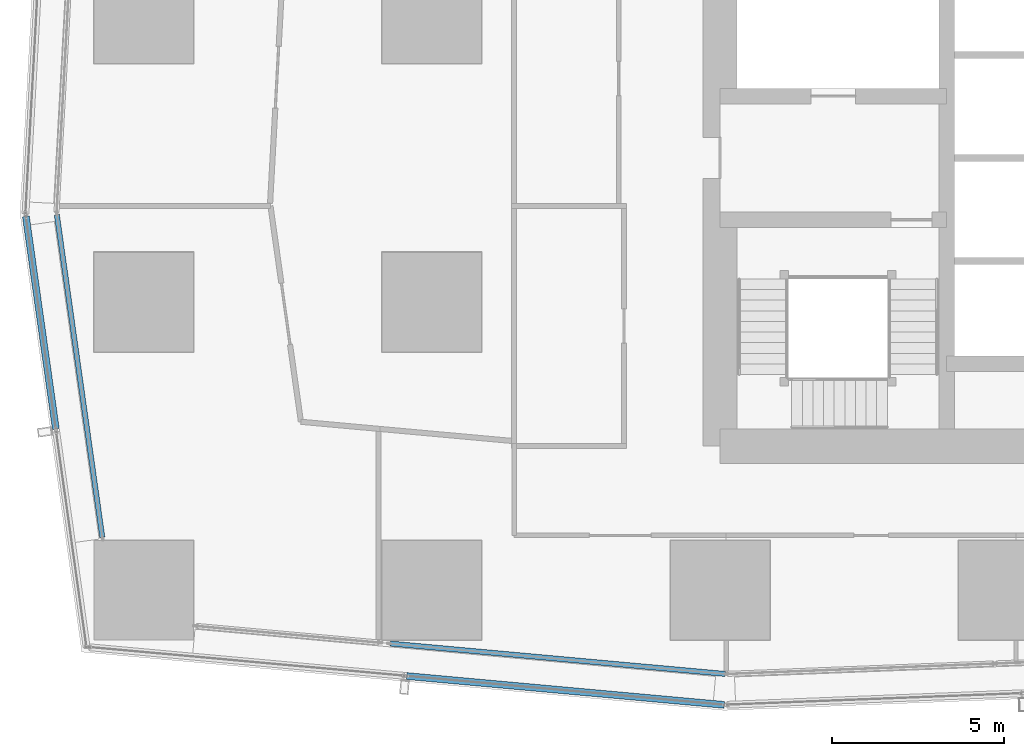
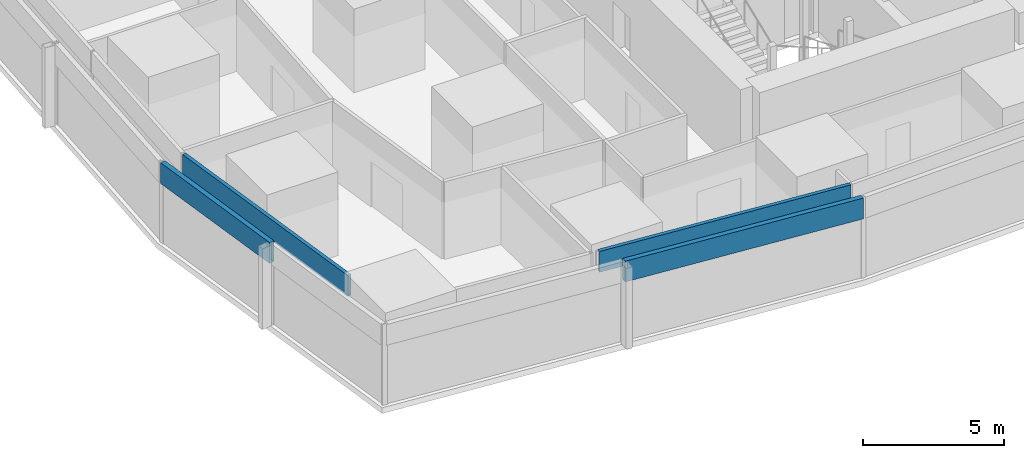
# One storey, part 3 of 40: 4 members, 4 elements without a shape of their own.
"""IFC4 building model written with IfcOpenShell, lengths in metres."""

from ifc_helpers import new_model, si_unit, direction, frame, origin, origin_2d, place, context, subcontext, project, spatial, hollow_rectangle, extrude, material, material_profile, profile_set, type_object, element, aggregate, save


model = new_model("IFC4")

# Units and contexts
model_context = context("Model", 3, precision=1e-05, world=origin(), true_north=direction((0.0, 1.0)))
body_context = subcontext(model_context, "Body", "Model", "MODEL_VIEW")
ifc_project = project(units=[si_unit("LENGTHUNIT", "METRE"), si_unit("AREAUNIT", "SQUARE_METRE"), si_unit("VOLUMEUNIT", "CUBIC_METRE"), si_unit("PLANEANGLEUNIT", "RADIAN"), si_unit("MASSUNIT", "GRAM", prefix="KILO")], contexts=[model_context])

# Site, building, storey
site_placement = place(None, origin())
site = spatial("IfcSite", under=ifc_project, at=site_placement, CompositionType="ELEMENT")
building_placement = place(site_placement, origin())
building = spatial("IfcBuilding", under=site, at=building_placement, Name="Rekha Terrace Tower", CompositionType="ELEMENT")
storey_placement = place(building_placement, frame((0.0, 0.0, 95.300048828125)))
storey = spatial("IfcBuildingStorey", under=building, at=storey_placement, Name="L23", CompositionType="ELEMENT", Elevation=95.300048828125)

# Curtain wall, member
ifc_material_1 = material(Name="Aluminium framing", Category="aluminium")
curtain_wall_type_1 = type_object("IfcCurtainWallType", Name="CW1 double skin inner glazing", PredefinedType="USERDEFINED", material=ifc_material_1)
curtain_wall_1_placement = place(storey_placement, origin())
curtain_wall_1 = element("IfcCurtainWall", 1, at=curtain_wall_1_placement, inside=storey, type_object=curtain_wall_type_1, Name="CW1 double skin inner glazing", ObjectType="DOUBLE SKIN INNER GLAZING", PredefinedType="USERDEFINED")
ifc_material_2 = material(Name="Insulated aluminium spandrel box", Category="aluminium")
ifc_material_profile_1 = material_profile(ifc_material_2, hollow_rectangle(XDim=0.14990234375, YDim=0.89990234375, WallThickness=0.0029296875, at=origin_2d()), Name="AL SPANDREL BOX 150x900")
ifc_profile_set_1 = profile_set([ifc_material_profile_1], Name="Insulated aluminium spandrel box")
member_type_1 = type_object("IfcMemberType", Name="CW1 spandrel transom 150 x 900", PredefinedType="USERDEFINED", material=ifc_profile_set_1)
member_1_placement = place(storey_placement, frame((15.5927734375, 15.247802734375, 3.050048828125), z_axis=(0.995900558263, -0.090454839843, 0.0), x_axis=(0.090454839843, 0.995900558263, 0.0)))
member_1 = element("IfcMember", 2, at=member_1_placement, type_object=member_type_1, Name="CW1 spandrel transom 1", ObjectType="TRANSOM", PredefinedType="USERDEFINED", context=body_context, shape_type="SweptSolid", body=[
    extrude(hollow_rectangle(XDim=0.14990234375, YDim=0.89990234375, WallThickness=0.0029296875, at=origin_2d()), origin(), (0.0, 0.0, 1.0), 9.794677734375),
])
aggregate(curtain_wall_1, [member_1])

curtain_wall_2_placement = place(storey_placement, origin())
curtain_wall_2 = element("IfcCurtainWall", 3, at=curtain_wall_2_placement, inside=storey, type_object=curtain_wall_type_1, Name="CW1 double skin inner glazing", ObjectType="DOUBLE SKIN INNER GLAZING", PredefinedType="USERDEFINED")
member_2_placement = place(storey_placement, frame((5.873046875, 27.7490234375, 3.050048828125), z_axis=(0.13959955985, -0.990208040206, 0.0), x_axis=(0.990208040206, 0.13959955985, 0.0)))
member_2 = element("IfcMember", 4, at=member_2_placement, type_object=member_type_1, Name="CW1 spandrel transom 1", ObjectType="TRANSOM", PredefinedType="USERDEFINED", context=body_context, shape_type="SweptSolid", body=[
    extrude(hollow_rectangle(XDim=0.14990234375, YDim=0.89990234375, WallThickness=0.0029296875, at=origin_2d()), origin(), (0.0, 0.0, 1.0), 9.49462890625),
])
aggregate(curtain_wall_2, [member_2])

curtain_wall_type_2 = type_object("IfcCurtainWallType", Name="CW2 double skin outer glazing", PredefinedType="USERDEFINED", material=ifc_material_1)
curtain_wall_3_placement = place(storey_placement, origin())
curtain_wall_3 = element("IfcCurtainWall", 5, at=curtain_wall_3_placement, inside=storey, type_object=curtain_wall_type_2, Name="CW2 double skin outer glazing", ObjectType="DOUBLE SKIN OUTER GLAZING", PredefinedType="USERDEFINED")
ifc_material_profile_2 = material_profile(ifc_material_2, hollow_rectangle(XDim=0.199951171875, YDim=0.89990234375, WallThickness=0.0029296875, at=origin_2d()), Name="AL SPANDREL BOX 200x900")
ifc_profile_set_2 = profile_set([ifc_material_profile_2], Name="Insulated aluminium spandrel box")
member_type_2 = type_object("IfcMemberType", Name="CW2 spandrel transom 200 x 900", PredefinedType="USERDEFINED", material=ifc_profile_set_2)
member_3_placement = place(storey_placement, frame((16.072265625, 14.300537109375, 3.050048828125), z_axis=(0.995900527097, -0.090455182982, 0.0), x_axis=(0.090455182982, 0.995900527097, 0.0)))
member_3 = element("IfcMember", 6, at=member_3_placement, type_object=member_type_2, Name="CW2 spandrel transom 2", ObjectType="TRANSOM", PredefinedType="USERDEFINED", context=body_context, shape_type="SweptSolid", body=[
    extrude(hollow_rectangle(XDim=0.199951171875, YDim=0.89990234375, WallThickness=0.0029296875, at=origin_2d()), origin(), (0.0, 0.0, 1.0), 9.2900390625),
])
aggregate(curtain_wall_3, [member_3])

curtain_wall_4_placement = place(storey_placement, origin())
curtain_wall_4 = element("IfcCurtainWall", 7, at=curtain_wall_4_placement, inside=storey, type_object=curtain_wall_type_2, Name="CW2 double skin outer glazing", ObjectType="DOUBLE SKIN OUTER GLAZING", PredefinedType="USERDEFINED")
member_4_placement = place(storey_placement, frame((4.9716796875, 27.695556640625, 3.050048828125), z_axis=(0.139596256865, -0.990208505856, 0.0), x_axis=(0.990208505856, 0.139596256865, 0.0)))
member_4 = element("IfcMember", 8, at=member_4_placement, type_object=member_type_2, Name="CW2 spandrel transom 1", ObjectType="TRANSOM", PredefinedType="USERDEFINED", context=body_context, shape_type="SweptSolid", body=[
    extrude(hollow_rectangle(XDim=0.199951171875, YDim=0.89990234375, WallThickness=0.0029296875, at=origin_2d()), origin(), (0.0, 0.0, 1.0), 6.255859375),
])
aggregate(curtain_wall_4, [member_4])

save(model, "model.ifc")
